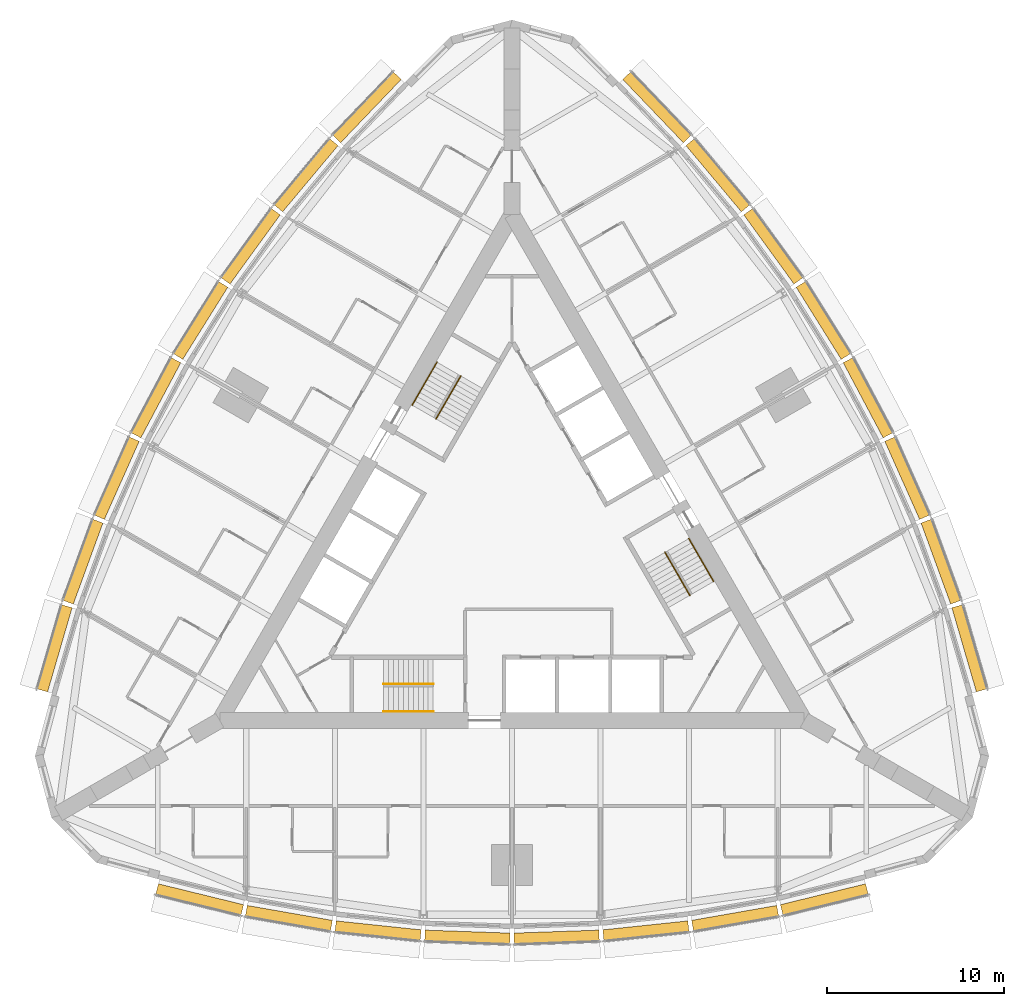
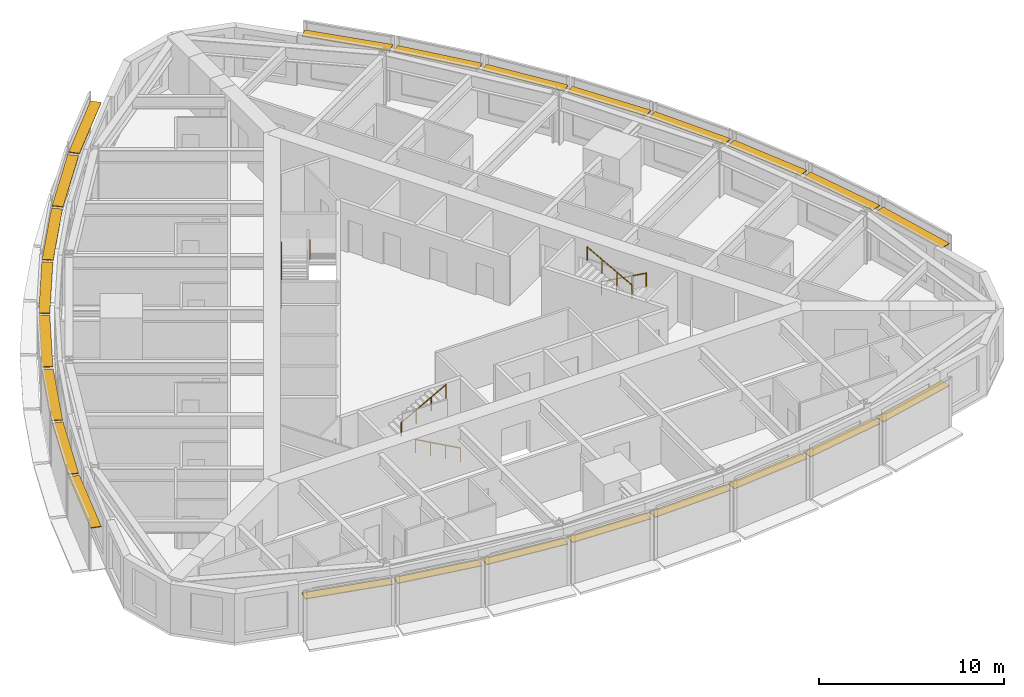
# One storey, part 14 of 14: 24 shading devices, 6 railings.
"""IFC4 building model written with IfcOpenShell, lengths in metres."""

from ifc_helpers import new_model, si_unit, direction, frame, origin, origin_2d, place, context, subcontext, project, spatial, rectangle, circle, extrude, material, type_object, element, save


model = new_model("IFC4")

# Units and contexts
model_context = context("Model", 3, precision=1e-05, world=origin(), true_north=direction((0.0, 1.0)))
body_context = subcontext(model_context, "Body", "Model", "MODEL_VIEW")
ifc_project = project(units=[si_unit("LENGTHUNIT", "METRE"), si_unit("AREAUNIT", "SQUARE_METRE"), si_unit("VOLUMEUNIT", "CUBIC_METRE"), si_unit("PLANEANGLEUNIT", "RADIAN"), si_unit("MASSUNIT", "GRAM", prefix="KILO")], contexts=[model_context])

# Site, building, storey
site_placement = place(None, origin())
site = spatial("IfcSite", under=ifc_project, at=site_placement, CompositionType="ELEMENT")
building_placement = place(site_placement, origin())
building = spatial("IfcBuilding", under=site, at=building_placement, Name="Trikona Tower", CompositionType="ELEMENT")
storey_placement = place(building_placement, frame((0.0, 0.0, 175.89990234375)))
storey = spatial("IfcBuildingStorey", under=building, at=storey_placement, Name="L47", CompositionType="ELEMENT", Elevation=175.89990234375)

# Shading devices
ifc_material_1 = material(Name="Aluminium louvre blade, pale anodised", Category="aluminium")
shading_device_type = type_object("IfcShadingDeviceType", Name="Cavity louvre 600", PredefinedType="USERDEFINED", material=ifc_material_1)
shading_device_1_placement = place(storey_placement, frame((-17.63330078125, -19.631591796875, 2.77490234375), z_axis=(0.0, 0.0, 1.0), x_axis=(0.971274411564, -0.237962218516, 0.0)))
element("IfcShadingDevice", 1, at=shading_device_1_placement, inside=storey, type_object=shading_device_type, Name="Cavity louvre L47-00", ObjectType="LOUVRE", PredefinedType="USERDEFINED", context=body_context, shape_type="SweptSolid", body=[
    extrude(rectangle(XDim=4.947998046875, YDim=0.60009765625, at=origin_2d()), origin(), (0.0, 0.0, 1.0), 0.050048828125),
])
shading_device_2_placement = place(storey_placement, frame((-12.596435546875, -20.689208984375, 2.77490234375), z_axis=(0.0, 0.0, 1.0), x_axis=(0.985030604067, -0.172379549401, 0.0)))
element("IfcShadingDevice", 2, at=shading_device_2_placement, inside=storey, type_object=shading_device_type, Name="Cavity louvre L47-01", ObjectType="LOUVRE", PredefinedType="USERDEFINED", context=body_context, shape_type="SweptSolid", body=[
    extrude(rectangle(XDim=4.8759765625, YDim=0.60009765625, at=origin_2d()), origin(), (0.0, 0.0, 1.0), 0.050048828125),
])
shading_device_3_placement = place(storey_placement, frame((-7.55859375, -21.39453125, 2.77490234375), z_axis=(0.0, 0.0, 1.0), x_axis=(0.994532653854, -0.104426052392, 0.0)))
element("IfcShadingDevice", 3, at=shading_device_3_placement, inside=storey, type_object=shading_device_type, Name="Cavity louvre L47-02", ObjectType="LOUVRE", PredefinedType="USERDEFINED", context=body_context, shape_type="SweptSolid", body=[
    extrude(rectangle(XDim=4.827392578125, YDim=0.60009765625, at=origin_2d()), origin(), (0.0, 0.0, 1.0), 0.050048828125),
])
for number, where, z_axis, x_axis, name in (
    (4, (-2.51953125, -21.747314453125, 2.77490234375), (0.0, 0.0, 1.0), (0.999388082937, -0.034977988567, 0.0), "Cavity louvre L47-03"),
    (5, (2.51953125, -21.747314453125, 2.77490234375), (0.0, 0.0, 1.0), (0.999388082937, 0.034977988567, 0.0), "Cavity louvre L47-04"),
):
    element("IfcShadingDevice", number, at=place(storey_placement, frame(where, z_axis=z_axis, x_axis=x_axis)), inside=storey, type_object=shading_device_type, Name=name, ObjectType="LOUVRE", PredefinedType="USERDEFINED", context=body_context, shape_type="SweptSolid", body=[
        extrude(rectangle(XDim=4.802978515625, YDim=0.60009765625, at=origin_2d()), origin(), (0.0, 0.0, 1.0), 0.050048828125),
    ])
shading_device_4_placement = place(storey_placement, frame((7.55859375, -21.39453125, 2.77490234375), z_axis=(0.0, 0.0, 1.0), x_axis=(0.994532653854, 0.104426052392, 0.0)))
element("IfcShadingDevice", 6, at=shading_device_4_placement, inside=storey, type_object=shading_device_type, Name="Cavity louvre L47-05", ObjectType="LOUVRE", PredefinedType="USERDEFINED", context=body_context, shape_type="SweptSolid", body=[
    extrude(rectangle(XDim=4.827392578125, YDim=0.60009765625, at=origin_2d()), origin(), (0.0, 0.0, 1.0), 0.050048828125),
])
shading_device_5_placement = place(storey_placement, frame((12.596435546875, -20.689208984375, 2.77490234375), z_axis=(0.0, 0.0, 1.0), x_axis=(0.985030604067, 0.172379549401, 0.0)))
element("IfcShadingDevice", 7, at=shading_device_5_placement, inside=storey, type_object=shading_device_type, Name="Cavity louvre L47-06", ObjectType="LOUVRE", PredefinedType="USERDEFINED", context=body_context, shape_type="SweptSolid", body=[
    extrude(rectangle(XDim=4.8759765625, YDim=0.60009765625, at=origin_2d()), origin(), (0.0, 0.0, 1.0), 0.050048828125),
])
shading_device_6_placement = place(storey_placement, frame((17.63330078125, -19.631591796875, 2.77490234375), z_axis=(0.0, 0.0, 1.0), x_axis=(0.971274411564, 0.237962218516, 0.0)))
element("IfcShadingDevice", 8, at=shading_device_6_placement, inside=storey, type_object=shading_device_type, Name="Cavity louvre L47-07", ObjectType="LOUVRE", PredefinedType="USERDEFINED", context=body_context, shape_type="SweptSolid", body=[
    extrude(rectangle(XDim=4.947998046875, YDim=0.60009765625, at=origin_2d()), origin(), (0.0, 0.0, 1.0), 0.050048828125),
])
shading_device_7_placement = place(storey_placement, frame((25.818115234375, -5.455078125, 2.77490234375), z_axis=(0.0, 0.0, 1.0), x_axis=(-0.279554203664, 0.960129911634, 0.0)))
element("IfcShadingDevice", 9, at=shading_device_7_placement, inside=storey, type_object=shading_device_type, Name="Cavity louvre L47-12", ObjectType="LOUVRE", PredefinedType="USERDEFINED", context=body_context, shape_type="SweptSolid", body=[
    extrude(rectangle(XDim=4.94775390625, YDim=0.60009765625, at=origin_2d()), origin(), (0.0, 0.0, 1.0), 0.050048828125),
])
shading_device_8_placement = place(storey_placement, frame((24.2158203125, -0.564208984375, 2.77490234375), z_axis=(0.0, 0.0, 1.0), x_axis=(-0.343220397324, 0.939254895575, 0.0)))
element("IfcShadingDevice", 10, at=shading_device_8_placement, inside=storey, type_object=shading_device_type, Name="Cavity louvre L47-13", ObjectType="LOUVRE", PredefinedType="USERDEFINED", context=body_context, shape_type="SweptSolid", body=[
    extrude(rectangle(XDim=4.8759765625, YDim=0.60009765625, at=origin_2d()), origin(), (0.0, 0.0, 1.0), 0.050048828125),
])
shading_device_9_placement = place(storey_placement, frame((22.3076171875, 4.151611328125, 2.77490234375), z_axis=(0.0, 0.0, 1.0), x_axis=(-0.406843467615, 0.913497888809, 0.0)))
element("IfcShadingDevice", 11, at=shading_device_9_placement, inside=storey, type_object=shading_device_type, Name="Cavity louvre L47-14", ObjectType="LOUVRE", PredefinedType="USERDEFINED", context=body_context, shape_type="SweptSolid", body=[
    extrude(rectangle(XDim=4.827392578125, YDim=0.60009765625, at=origin_2d()), origin(), (0.0, 0.0, 1.0), 0.050048828125),
])
for number, where, z_axis, x_axis, name in (
    (12, (20.093505859375, 8.691650390625, 2.77490234375), (0.0, 0.0, 1.0), (-0.469397591494, 0.882986920118, 0.0), "Cavity louvre L47-15"),
    (13, (17.573974609375, 13.0556640625, 2.77490234375), (0.0, 0.0, 1.0), (-0.529994748414, 0.848000923734, 0.0), "Cavity louvre L47-16"),
):
    element("IfcShadingDevice", number, at=place(storey_placement, frame(where, z_axis=z_axis, x_axis=x_axis)), inside=storey, type_object=shading_device_type, Name=name, ObjectType="LOUVRE", PredefinedType="USERDEFINED", context=body_context, shape_type="SweptSolid", body=[
        extrude(rectangle(XDim=4.802978515625, YDim=0.60009765625, at=origin_2d()), origin(), (0.0, 0.0, 1.0), 0.050048828125),
    ])
shading_device_10_placement = place(storey_placement, frame((14.7490234375, 17.2431640625, 2.77490234375), z_axis=(0.0, 0.0, 1.0), x_axis=(-0.587686407834, 0.809088799853, 0.0)))
element("IfcShadingDevice", 14, at=shading_device_10_placement, inside=storey, type_object=shading_device_type, Name="Cavity louvre L47-17", ObjectType="LOUVRE", PredefinedType="USERDEFINED", context=body_context, shape_type="SweptSolid", body=[
    extrude(rectangle(XDim=4.827392578125, YDim=0.60009765625, at=origin_2d()), origin(), (0.0, 0.0, 1.0), 0.050048828125),
])
shading_device_11_placement = place(storey_placement, frame((11.619140625, 21.253662109375, 2.77490234375), z_axis=(0.0, 0.0, 1.0), x_axis=(-0.641807063101, 0.766866151133, 0.0)))
element("IfcShadingDevice", 15, at=shading_device_11_placement, inside=storey, type_object=shading_device_type, Name="Cavity louvre L47-18", ObjectType="LOUVRE", PredefinedType="USERDEFINED", context=body_context, shape_type="SweptSolid", body=[
    extrude(rectangle(XDim=4.8759765625, YDim=0.60009765625, at=origin_2d()), origin(), (0.0, 0.0, 1.0), 0.050048828125),
])
for number, where, z_axis, x_axis, name in (
    (16, (8.184814453125, 25.086669921875, 2.77490234375), (0.0, 0.0, 1.0), (-0.691723573819, 0.722162376078, 0.0), "Cavity louvre L47-19"),
    (17, (-8.184814453125, 25.086669921875, 2.77490234375), (0.0, 0.0, 1.0), (-0.691723573819, -0.722162376078, 0.0), "Cavity louvre L47-24"),
):
    element("IfcShadingDevice", number, at=place(storey_placement, frame(where, z_axis=z_axis, x_axis=x_axis)), inside=storey, type_object=shading_device_type, Name=name, ObjectType="LOUVRE", PredefinedType="USERDEFINED", context=body_context, shape_type="SweptSolid", body=[
        extrude(rectangle(XDim=4.947998046875, YDim=0.60009765625, at=origin_2d()), origin(), (0.0, 0.0, 1.0), 0.050048828125),
    ])
shading_device_12_placement = place(storey_placement, frame((-11.619140625, 21.253662109375, 2.77490234375), z_axis=(0.0, 0.0, 1.0), x_axis=(-0.641807063101, -0.766866151133, 0.0)))
element("IfcShadingDevice", 18, at=shading_device_12_placement, inside=storey, type_object=shading_device_type, Name="Cavity louvre L47-25", ObjectType="LOUVRE", PredefinedType="USERDEFINED", context=body_context, shape_type="SweptSolid", body=[
    extrude(rectangle(XDim=4.8759765625, YDim=0.60009765625, at=origin_2d()), origin(), (0.0, 0.0, 1.0), 0.050048828125),
])
shading_device_13_placement = place(storey_placement, frame((-14.7490234375, 17.2431640625, 2.77490234375), z_axis=(0.0, 0.0, 1.0), x_axis=(-0.587686407834, -0.809088799853, 0.0)))
element("IfcShadingDevice", 19, at=shading_device_13_placement, inside=storey, type_object=shading_device_type, Name="Cavity louvre L47-26", ObjectType="LOUVRE", PredefinedType="USERDEFINED", context=body_context, shape_type="SweptSolid", body=[
    extrude(rectangle(XDim=4.827392578125, YDim=0.60009765625, at=origin_2d()), origin(), (0.0, 0.0, 1.0), 0.050048828125),
])
for number, where, z_axis, x_axis, name in (
    (20, (-17.573974609375, 13.0556640625, 2.77490234375), (0.0, 0.0, 1.0), (-0.529994748414, -0.848000923734, 0.0), "Cavity louvre L47-27"),
    (21, (-20.093505859375, 8.691650390625, 2.77490234375), (0.0, 0.0, 1.0), (-0.469397591494, -0.882986920118, 0.0), "Cavity louvre L47-28"),
):
    element("IfcShadingDevice", number, at=place(storey_placement, frame(where, z_axis=z_axis, x_axis=x_axis)), inside=storey, type_object=shading_device_type, Name=name, ObjectType="LOUVRE", PredefinedType="USERDEFINED", context=body_context, shape_type="SweptSolid", body=[
        extrude(rectangle(XDim=4.802978515625, YDim=0.60009765625, at=origin_2d()), origin(), (0.0, 0.0, 1.0), 0.050048828125),
    ])
shading_device_14_placement = place(storey_placement, frame((-22.3076171875, 4.151611328125, 2.77490234375), z_axis=(0.0, 0.0, 1.0), x_axis=(-0.406843467615, -0.913497888809, 0.0)))
element("IfcShadingDevice", 22, at=shading_device_14_placement, inside=storey, type_object=shading_device_type, Name="Cavity louvre L47-29", ObjectType="LOUVRE", PredefinedType="USERDEFINED", context=body_context, shape_type="SweptSolid", body=[
    extrude(rectangle(XDim=4.827392578125, YDim=0.60009765625, at=origin_2d()), origin(), (0.0, 0.0, 1.0), 0.050048828125),
])
shading_device_15_placement = place(storey_placement, frame((-24.2158203125, -0.564208984375, 2.77490234375), z_axis=(0.0, 0.0, 1.0), x_axis=(-0.343220397324, -0.939254895575, 0.0)))
element("IfcShadingDevice", 23, at=shading_device_15_placement, inside=storey, type_object=shading_device_type, Name="Cavity louvre L47-30", ObjectType="LOUVRE", PredefinedType="USERDEFINED", context=body_context, shape_type="SweptSolid", body=[
    extrude(rectangle(XDim=4.8759765625, YDim=0.60009765625, at=origin_2d()), origin(), (0.0, 0.0, 1.0), 0.050048828125),
])
shading_device_16_placement = place(storey_placement, frame((-25.818115234375, -5.455078125, 2.77490234375), z_axis=(0.0, 0.0, 1.0), x_axis=(-0.279554203664, -0.960129911634, 0.0)))
element("IfcShadingDevice", 24, at=shading_device_16_placement, inside=storey, type_object=shading_device_type, Name="Cavity louvre L47-31", ObjectType="LOUVRE", PredefinedType="USERDEFINED", context=body_context, shape_type="SweptSolid", body=[
    extrude(rectangle(XDim=4.94775390625, YDim=0.60009765625, at=origin_2d()), origin(), (0.0, 0.0, 1.0), 0.050048828125),
])

# Railings
ifc_material_2 = material(Name="Stainless steel handrail", Category="steel")
railing_type = type_object("IfcRailingType", Name="Stair handrail", PredefinedType="HANDRAIL", material=ifc_material_2)
railing_1_placement = place(storey_placement, frame((-4.449951171875, -9.016357421875, 0.154541015625)))
element("IfcRailing", 25, at=railing_1_placement, inside=storey, type_object=railing_type, Name="Stair handrail A L47 1", PredefinedType="HANDRAIL", context=body_context, shape_type="SweptSolid", body=[
    extrude(circle(Radius=0.02392578125, at=origin_2d()), frame((0.0, 0.0, 0.8759765625), z_axis=(-0.875471895205, 0.0, 0.483269035534), x_axis=(0.0, -1.0, 0.0)), (0.0, 0.0, 1.0), 3.1982421875),
    extrude(circle(Radius=0.02099609375, at=origin_2d()), origin(), (0.0, 0.0, 1.0), 0.851806640625),
    extrude(circle(Radius=0.02099609375, at=origin_2d()), frame((-0.933349609375, 0.0, 0.51513671875)), (0.0, 0.0, 1.0), 0.851806640625),
    extrude(circle(Radius=0.02099609375, at=origin_2d()), frame((-1.86669921875, 0.0, 1.030517578125)), (0.0, 0.0, 1.0), 0.851806640625),
    extrude(circle(Radius=0.02099609375, at=origin_2d()), frame((-2.800048828125, 0.0, 1.545654296875)), (0.0, 0.0, 1.0), 0.851806640625),
])
railing_2_placement = place(storey_placement, frame((-7.25, -7.46630859375, 1.8544921875)))
element("IfcRailing", 26, at=railing_2_placement, inside=storey, type_object=railing_type, Name="Stair handrail A L47 2", PredefinedType="HANDRAIL", context=body_context, shape_type="SweptSolid", body=[
    extrude(circle(Radius=0.02392578125, at=origin_2d()), frame((0.0, 0.0, 0.8759765625), z_axis=(0.875471895205, 0.0, 0.483269035534), x_axis=(0.0, 1.0, 0.0)), (0.0, 0.0, 1.0), 3.1982421875),
    extrude(circle(Radius=0.02099609375, at=origin_2d()), origin(), (0.0, 0.0, 1.0), 0.851806640625),
    extrude(circle(Radius=0.02099609375, at=origin_2d()), frame((0.933349609375, 0.0, 0.51513671875)), (0.0, 0.0, 1.0), 0.851806640625),
    extrude(circle(Radius=0.02099609375, at=origin_2d()), frame((1.86669921875, 0.0, 1.030517578125)), (0.0, 0.0, 1.0), 0.851806640625),
    extrude(circle(Radius=0.02099609375, at=origin_2d()), frame((2.800048828125, 0.0, 1.545654296875)), (0.0, 0.0, 1.0), 0.851806640625),
])
railing_3_placement = place(storey_placement, frame((9.9833984375, 0.740966796875, 0.154541015625)))
element("IfcRailing", 27, at=railing_3_placement, inside=storey, type_object=railing_type, Name="Stair handrail B L47 1", PredefinedType="HANDRAIL", context=body_context, shape_type="SweptSolid", body=[
    extrude(circle(Radius=0.02392578125, at=origin_2d()), frame((0.0, 0.0, 0.8759765625), z_axis=(0.437691042731, -0.758211567396, 0.483261596012), x_axis=(0.866056369097, 0.49994636267, 0.0)), (0.0, 0.0, 1.0), 3.198486328125),
    extrude(circle(Radius=0.02099609375, at=origin_2d()), origin(), (0.0, 0.0, 1.0), 0.851806640625),
    extrude(circle(Radius=0.02099609375, at=origin_2d()), frame((0.466552734375, -0.808349609375, 0.51513671875)), (0.0, 0.0, 1.0), 0.851806640625),
    extrude(circle(Radius=0.02099609375, at=origin_2d()), frame((0.933349609375, -1.61669921875, 1.030517578125)), (0.0, 0.0, 1.0), 0.851806640625),
    extrude(circle(Radius=0.02099609375, at=origin_2d()), frame((1.39990234375, -2.425048828125, 1.545654296875)), (0.0, 0.0, 1.0), 0.851806640625),
])
railing_4_placement = place(storey_placement, frame((10.041015625, -2.458984375, 1.8544921875)))
element("IfcRailing", 28, at=railing_4_placement, inside=storey, type_object=railing_type, Name="Stair handrail B L47 2", PredefinedType="HANDRAIL", context=body_context, shape_type="SweptSolid", body=[
    extrude(circle(Radius=0.02392578125, at=origin_2d()), frame((0.0, 0.0, 0.8759765625), z_axis=(-0.437691042731, 0.758211567396, 0.483261596012), x_axis=(-0.866056369097, -0.49994636267, 0.0)), (0.0, 0.0, 1.0), 3.198486328125),
    extrude(circle(Radius=0.02099609375, at=origin_2d()), origin(), (0.0, 0.0, 1.0), 0.851806640625),
    extrude(circle(Radius=0.02099609375, at=origin_2d()), frame((-0.466552734375, 0.808349609375, 0.51513671875)), (0.0, 0.0, 1.0), 0.851806640625),
    extrude(circle(Radius=0.02099609375, at=origin_2d()), frame((-0.933349609375, 1.61669921875, 1.030517578125)), (0.0, 0.0, 1.0), 0.851806640625),
    extrude(circle(Radius=0.02099609375, at=origin_2d()), frame((-1.39990234375, 2.425048828125, 1.545654296875)), (0.0, 0.0, 1.0), 0.851806640625),
])
railing_5_placement = place(storey_placement, frame((-5.63330078125, 8.275390625, 0.154541015625)))
element("IfcRailing", 29, at=railing_5_placement, inside=storey, type_object=railing_type, Name="Stair handrail C L47 1", PredefinedType="HANDRAIL", context=body_context, shape_type="SweptSolid", body=[
    extrude(circle(Radius=0.02392578125, at=origin_2d()), frame((0.0, 0.0, 0.8759765625), z_axis=(0.437716375571, 0.758179114435, 0.4832895664), x_axis=(-0.866034573852, 0.49998411664, 0.0)), (0.0, 0.0, 1.0), 3.1982421875),
    extrude(circle(Radius=0.02099609375, at=origin_2d()), origin(), (0.0, 0.0, 1.0), 0.851806640625),
    extrude(circle(Radius=0.02099609375, at=origin_2d()), frame((0.466552734375, 0.808349609375, 0.51513671875)), (0.0, 0.0, 1.0), 0.851806640625),
    extrude(circle(Radius=0.02099609375, at=origin_2d()), frame((0.933349609375, 1.616455078125, 1.030517578125)), (0.0, 0.0, 1.0), 0.851806640625),
    extrude(circle(Radius=0.02099609375, at=origin_2d()), frame((1.39990234375, 2.4248046875, 1.545654296875)), (0.0, 0.0, 1.0), 0.851806640625),
])
railing_6_placement = place(storey_placement, frame((-2.89111328125, 9.92529296875, 1.8544921875)))
element("IfcRailing", 30, at=railing_6_placement, inside=storey, type_object=railing_type, Name="Stair handrail C L47 2", PredefinedType="HANDRAIL", context=body_context, shape_type="SweptSolid", body=[
    extrude(circle(Radius=0.02392578125, at=origin_2d()), frame((0.0, 0.0, 0.8759765625), z_axis=(-0.437691042731, -0.758211567396, 0.483261596012), x_axis=(0.866056369097, -0.49994636267, 0.0)), (0.0, 0.0, 1.0), 3.198486328125),
    extrude(circle(Radius=0.02099609375, at=origin_2d()), origin(), (0.0, 0.0, 1.0), 0.851806640625),
    extrude(circle(Radius=0.02099609375, at=origin_2d()), frame((-0.466552734375, -0.808349609375, 0.51513671875)), (0.0, 0.0, 1.0), 0.851806640625),
    extrude(circle(Radius=0.02099609375, at=origin_2d()), frame((-0.933349609375, -1.61669921875, 1.030517578125)), (0.0, 0.0, 1.0), 0.851806640625),
    extrude(circle(Radius=0.02099609375, at=origin_2d()), frame((-1.39990234375, -2.425048828125, 1.545654296875)), (0.0, 0.0, 1.0), 0.851806640625),
])

save(model, "model.ifc")
